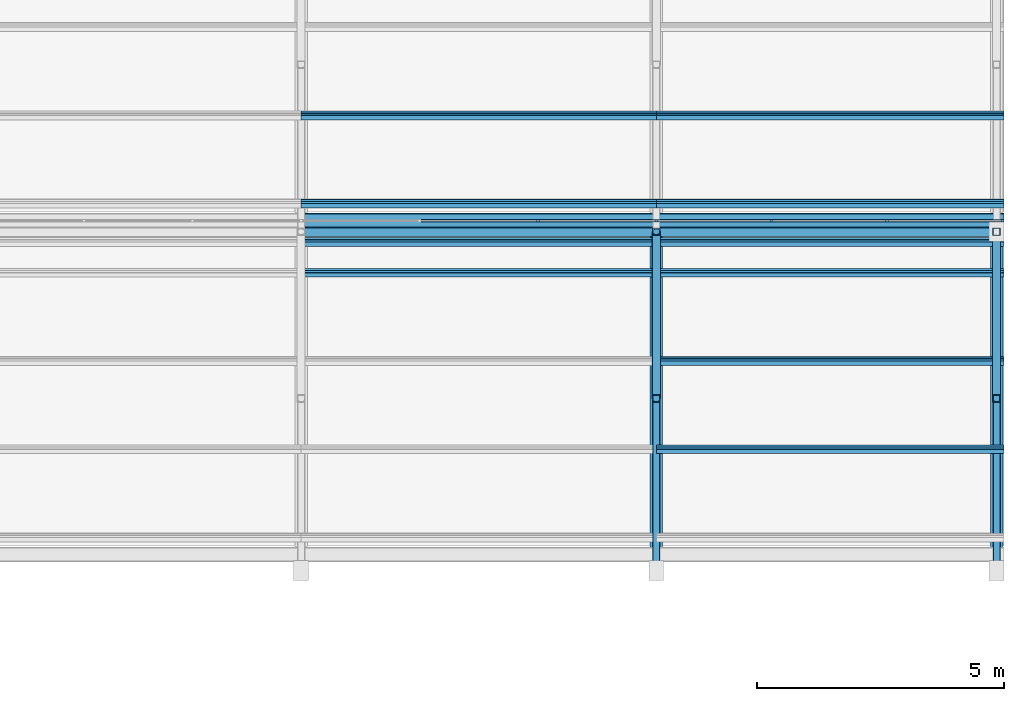
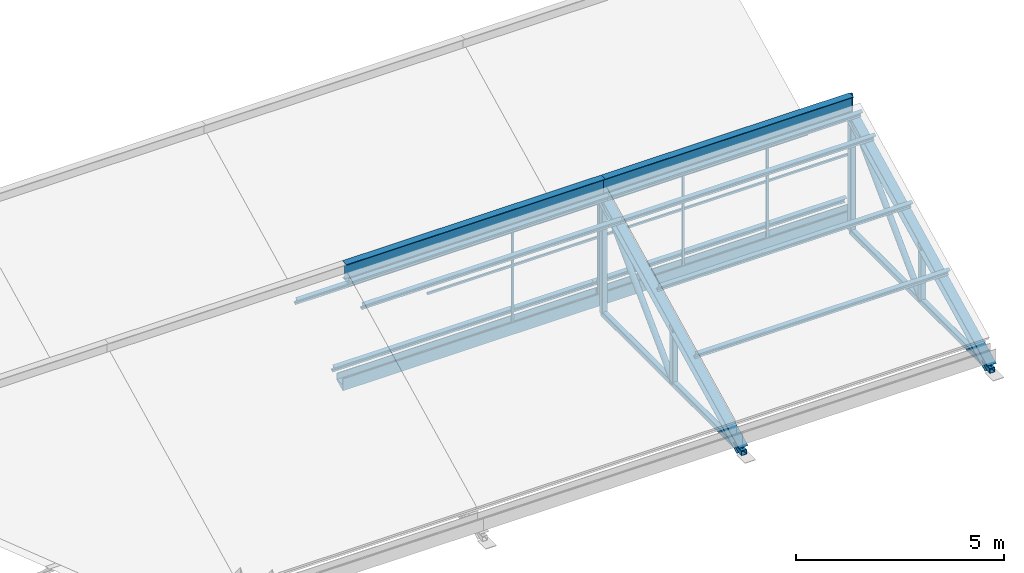
# One storey, part 9 of 29: 34 members, 2 elements without a shape of their own.
"""IFC4 building model written with IfcOpenShell, lengths in metres."""

import ifcopenshell
import ifcopenshell.guid

model = None  # the IFC model being written
_history = None  # IfcOwnerHistory: only IFC2X3 demands one
_inside = {}  # id of a spatial element -> (the spatial element, [elements in it])
_under = {}  # id of a project, library or spatial element -> (it, [spatial elements below it])
_declared = {}  # id of a project -> (the project, [libraries it declares])
_typed = {}  # id of a type object -> (the type object, [elements of that type])
_made_of = {}  # id of a material, layer set ... -> (it, [elements and type objects made of it])


def new_model(schema):
    """Start an empty IFC model of exactly this schema.

    Asked for "IFC4X3", IfcOpenShell would pick the latest addendum, in which some entities
    have other attributes; the version numbers below select the first issue.
    IFC2X3 requires an IfcOwnerHistory on every rooted entity: one is made here for all.
    """
    global model, _history
    if schema == "IFC4X3":
        model = ifcopenshell.file(schema_version=(4, 3, 0, 0))
    else:
        model = ifcopenshell.file(schema=schema)
    _inside.clear()
    _under.clear()
    _declared.clear()
    _typed.clear()
    _made_of.clear()
    _history = None
    if model.schema == "IFC2X3":
        org = make("IfcOrganization", Name="unknown")
        user = make(
            "IfcPersonAndOrganization",
            ThePerson=make("IfcPerson", FamilyName="unknown"),
            TheOrganization=org,
        )
        app = make(
            "IfcApplication",
            ApplicationDeveloper=org,
            Version="unknown",
            ApplicationFullName="unknown",
            ApplicationIdentifier="unknown",
        )
        _history = make(
            "IfcOwnerHistory",
            OwningUser=user,
            OwningApplication=app,
            ChangeAction="ADDED",
            CreationDate=0,
        )
    return model


def make(cls, **values):
    """One entity of the class cls with the attributes given. An attribute that is None is left unset."""
    return model.create_entity(
        cls, **{name: value for name, value in values.items() if value is not None}
    )


def rooted(cls, **values):
    """An entity with a GlobalId (a new one), such as an element, a storey or a relation."""
    return make(cls, GlobalId=ifcopenshell.guid.new(), OwnerHistory=_history, **values)


def si_unit(unit_type, name, prefix=None):
    """IfcSIUnit, for example si_unit("LENGTHUNIT", "METRE", prefix="MILLI")."""
    return make("IfcSIUnit", UnitType=unit_type, Prefix=prefix, Name=name)


def assignment(units):
    """IfcUnitAssignment: the units of a project."""
    return None if units is None else make("IfcUnitAssignment", Units=units)


def point(xyz):
    """IfcCartesianPoint."""
    return None if xyz is None else make("IfcCartesianPoint", Coordinates=xyz)


def direction(xyz):
    """IfcDirection."""
    return None if xyz is None else make("IfcDirection", DirectionRatios=xyz)


def frame(location, z_axis=None, x_axis=None):
    """IfcAxis2Placement3D, a coordinate frame: its origin and axes. An axis left out is left unset."""
    return make(
        "IfcAxis2Placement3D",
        Location=point(location),
        Axis=direction(z_axis),
        RefDirection=direction(x_axis),
    )


def frame_2d(location, x_axis=None):
    """IfcAxis2Placement2D, a coordinate frame in the plane: its origin and x axis."""
    return make(
        "IfcAxis2Placement2D", Location=point(location), RefDirection=direction(x_axis)
    )


def origin():
    """The frame at (0, 0, 0) with its axes left unset."""
    return frame((0.0, 0.0, 0.0))


def origin_2d():
    """The frame at (0, 0) in the plane with its x axis left unset."""
    return frame_2d((0.0, 0.0))


def place(relative_to, where):
    """IfcLocalPlacement: puts the frame where relative to a parent placement (None: the world)."""
    return make(
        "IfcLocalPlacement", PlacementRelTo=relative_to, RelativePlacement=where
    )


def context(
    kind, dimensions, precision=None, world=None, true_north=None, identifier=None
):
    """IfcGeometricRepresentationContext, for example the 3D "Model" context."""
    return make(
        "IfcGeometricRepresentationContext",
        ContextIdentifier=identifier,
        ContextType=kind,
        CoordinateSpaceDimension=dimensions,
        Precision=precision,
        WorldCoordinateSystem=world,
        TrueNorth=true_north,
    )


def subcontext(parent, identifier, kind, view, scale=None):
    """IfcGeometricRepresentationSubContext, for example "Body" below "Model"."""
    return make(
        "IfcGeometricRepresentationSubContext",
        ContextIdentifier=identifier,
        ContextType=kind,
        ParentContext=parent,
        TargetScale=scale,
        TargetView=view,
    )


def project(units=None, contexts=None):
    """IfcProject with its units and contexts."""
    return rooted(
        "IfcProject",
        Name="project",
        RepresentationContexts=contexts,
        UnitsInContext=assignment(units),
    )


def spatial(cls, under=None, at=None, **own):
    """A site, building, storey or space (cls), placed at a placement, below another one or the project."""
    s = rooted(cls, ObjectPlacement=at, **own)
    if under is not None:
        _under.setdefault(under.id(), (under, []))[1].append(s)
    return s


def polyline(points):
    """IfcPolyline through the points."""
    return make("IfcPolyline", Points=[point(p) for p in points])


def profile(cls, at=None, kind="AREA", **sizes):
    """A parametric profile (cls). Its sizes go by their IFC names, for example OverallWidth=200.0."""
    return make(cls, ProfileType=kind, Position=at, **sizes)


def rectangle(**sizes):
    """IfcRectangleProfileDef."""
    return profile("IfcRectangleProfileDef", **sizes)


def hollow_rectangle(**sizes):
    """IfcRectangleHollowProfileDef."""
    return profile("IfcRectangleHollowProfileDef", **sizes)


def hollow_circle(**sizes):
    """IfcCircleHollowProfileDef."""
    return profile("IfcCircleHollowProfileDef", **sizes)


def i_section(**sizes):
    """IfcIShapeProfileDef."""
    return profile("IfcIShapeProfileDef", **sizes)


def outline(outer, holes=None, kind="AREA"):
    """IfcArbitraryClosedProfileDef: a profile drawn as a closed curve; with holes, ...WithVoids."""
    if holes is None:
        return make("IfcArbitraryClosedProfileDef", ProfileType=kind, OuterCurve=outer)
    return make(
        "IfcArbitraryProfileDefWithVoids",
        ProfileType=kind,
        OuterCurve=outer,
        InnerCurves=holes,
    )


def extrude(swept, where, along, depth):
    """IfcExtrudedAreaSolid: the profile swept, set in the frame where, extruded along a direction by depth."""
    return make(
        "IfcExtrudedAreaSolid",
        SweptArea=swept,
        Position=where,
        ExtrudedDirection=direction(along),
        Depth=depth,
    )


def shape(context_of_items, identifier, shape_type, items):
    """IfcShapeRepresentation: the items that make up one representation, for example the "Body"."""
    return make(
        "IfcShapeRepresentation",
        ContextOfItems=context_of_items,
        RepresentationIdentifier=identifier,
        RepresentationType=shape_type,
        Items=items,
    )


def material(Name=None, Category=None):
    """IfcMaterial."""
    return make("IfcMaterial", Name=Name, Category=Category)


def material_profile(
    of_material, cross_section, Name=None, Category=None, Priority=None
):
    """IfcMaterialProfile: a cross section and its material."""
    return make(
        "IfcMaterialProfile",
        Name=Name,
        Material=of_material,
        Profile=cross_section,
        Priority=Priority,
        Category=Category,
    )


def profile_set(profiles, Name=None, composite=None):
    """IfcMaterialProfileSet."""
    return make(
        "IfcMaterialProfileSet",
        Name=Name,
        MaterialProfiles=profiles,
        CompositeProfile=composite,
    )


def made_of(thing, what):
    """Note that an element or type object is made of a material, layer set ...; save() writes the relation."""
    if what is not None:
        _made_of.setdefault(what.id(), (what, []))[1].append(thing)
    return thing


def type_object(cls, material=None, **own):
    """A type object (cls), such as IfcWallType, which elements share."""
    return made_of(rooted(cls, **own), material)


def element(
    cls,
    number,
    at=None,
    inside=None,
    cuts=None,
    type_object=None,
    material=None,
    context=None,
    identifier="Body",
    shape_type=None,
    held_by="IfcProductDefinitionShape",
    body=None,
    shapes=None,
    **own,
):
    """One element of the class cls, such as IfcWall. Its Tag is "e" and its number.

    at: its placement. inside: the storey or other place that contains it. cuts: it is an
    opening in that element (IfcRelVoidsElement). A single representation is given by context,
    identifier, shape_type and body (its items); several are given by shapes. held_by: the class
    of the entity that holds the representations. save() writes the other relations.
    """
    e = rooted(cls, Tag="e%d" % number, ObjectPlacement=at, **own)
    if body is not None:
        shapes = [shape(context, identifier, shape_type, body)]
    if shapes is not None:
        e.Representation = make(held_by, Representations=shapes)
    if inside is not None:
        _inside.setdefault(inside.id(), (inside, []))[1].append(e)
    if cuts is not None:
        rooted(
            "IfcRelVoidsElement", RelatingBuildingElement=cuts, RelatedOpeningElement=e
        )
    if type_object is not None:
        _typed.setdefault(type_object.id(), (type_object, []))[1].append(e)
    return made_of(e, material)


def aggregate(whole, parts):
    """IfcRelAggregates: a whole, such as a stair, and the parts it consists of."""
    return rooted("IfcRelAggregates", RelatingObject=whole, RelatedObjects=parts)


def save(model, path):
    """Write the relations noted so far, then the file.

    IfcRelAggregates (storeys below a building ...), IfcRelContainedInSpatialStructure (elements
    in a storey), IfcRelDefinesByType, IfcRelAssociatesMaterial and IfcRelDeclares: one each for
    every whole, place, type object, material and project.
    """
    for whole, parts in _under.values():
        aggregate(whole, parts)
    for where, things in _inside.values():
        rooted(
            "IfcRelContainedInSpatialStructure",
            RelatedElements=things,
            RelatingStructure=where,
        )
    for kind, things in _typed.values():
        rooted("IfcRelDefinesByType", RelatedObjects=things, RelatingType=kind)
    for what, things in _made_of.values():
        rooted("IfcRelAssociatesMaterial", RelatedObjects=things, RelatingMaterial=what)
    for by, libraries in _declared.values():
        rooted("IfcRelDeclares", RelatingContext=by, RelatedDefinitions=libraries)
    model.write(path)


model = new_model("IFC4")

# Units and contexts
model_context = context("Model", 3, precision=1e-05, world=origin(), true_north=direction((0.0, 1.0)))
body_context = subcontext(model_context, "Body", "Model", "MODEL_VIEW")
ifc_project = project(units=[si_unit("LENGTHUNIT", "METRE"), si_unit("AREAUNIT", "SQUARE_METRE"), si_unit("VOLUMEUNIT", "CUBIC_METRE"), si_unit("PLANEANGLEUNIT", "RADIAN"), si_unit("MASSUNIT", "GRAM", prefix="KILO")], contexts=[model_context])

# Site, building, storey
site_placement = place(None, origin())
site = spatial("IfcSite", under=ifc_project, at=site_placement, CompositionType="ELEMENT")
building_placement = place(site_placement, origin())
building = spatial("IfcBuilding", under=site, at=building_placement, Name="Silangan Lancet Faculty of Sciences", CompositionType="ELEMENT")
storey_placement = place(building_placement, frame((0.0, 0.0, 40.800048828125)))
storey = spatial("IfcBuildingStorey", under=building, at=storey_placement, Name="L08", CompositionType="ELEMENT", Elevation=40.800048828125)

# Members
ifc_material_1 = material(Name="Steel SS400", Category="steel")
ifc_material_profile_1 = material_profile(ifc_material_1, i_section(OverallWidth=0.199951171875, OverallDepth=0.5, WebThickness=0.010009765625, FlangeThickness=0.01611328125, FilletRadius=0.02001953125, at=origin_2d()), Name="H 500x200x10x16")
ifc_profile_set_1 = profile_set([ifc_material_profile_1], Name="Steel SS400")
member_type_1 = type_object("IfcMemberType", Name="Exposed ridge beam H 500x200x10x16", PredefinedType="MEMBER", material=ifc_profile_set_1)
member_1_placement = place(storey_placement, frame((36.0, 28.77001953125, 3.836669921875), z_axis=(1.0, 0.0, 0.0), x_axis=(0.0, 1.0, 0.0)))
element("IfcMember", 1, at=member_1_placement, inside=storey, type_object=member_type_1, Name="Exposed ridge beam ATRIUM-1-6", PredefinedType="MEMBER", context=body_context, shape_type="SweptSolid", body=[
    extrude(i_section(OverallWidth=0.199951171875, OverallDepth=0.5, WebThickness=0.010009765625, FlangeThickness=0.01611328125, FilletRadius=0.02001953125, at=origin_2d()), origin(), (0.0, 0.0, 1.0), 7.199951171875),
])
member_2_placement = place(storey_placement, frame((43.199951171875, 28.77001953125, 3.836669921875), z_axis=(1.0, 0.0, 0.0), x_axis=(0.0, 1.0, 0.0)))
element("IfcMember", 2, at=member_2_placement, inside=storey, type_object=member_type_1, Name="Exposed ridge beam ATRIUM-1-7", PredefinedType="MEMBER", context=body_context, shape_type="SweptSolid", body=[
    extrude(i_section(OverallWidth=0.199951171875, OverallDepth=0.5, WebThickness=0.010009765625, FlangeThickness=0.01611328125, FilletRadius=0.02001953125, at=origin_2d()), origin(), (0.0, 0.0, 1.0), 6.900146484375),
])

# Curtain wall, member
ifc_material_2 = material(Name="Aluminium and laminated glass", Category="aluminium")
curtain_wall_type = type_object("IfcCurtainWallType", Name="North light glazing system", PredefinedType="NOTDEFINED", material=ifc_material_2)
curtain_wall_1_placement = place(storey_placement, origin())
curtain_wall_1 = element("IfcCurtainWall", 3, at=curtain_wall_1_placement, inside=storey, type_object=curtain_wall_type, Name="North light glazing ATRIUM-1-6", PredefinedType="NOTDEFINED")
ifc_material_3 = material(Name="Aluminium 6063-T6", Category="aluminium")
ifc_material_profile_2 = material_profile(ifc_material_3, rectangle(XDim=0.06005859375, YDim=0.050048828125, at=origin_2d()), Name="AL 60x50")
ifc_profile_set_2 = profile_set([ifc_material_profile_2], Name="Aluminium 6063-T6")
member_type_2 = type_object("IfcMemberType", Name="North light mullion 60x50", PredefinedType="MULLION", material=ifc_profile_set_2)
member_3_placement = place(storey_placement, frame((40.800048828125, 28.9951171875, 0.442138671875), z_axis=(0.0, 0.0, 1.0), x_axis=(1.0, 0.0, 0.0)))
member_3 = element("IfcMember", 4, at=member_3_placement, type_object=member_type_2, Name="North light mullion ATRIUM-1-6 3", PredefinedType="MULLION", context=body_context, shape_type="SweptSolid", body=[
    extrude(rectangle(XDim=0.06005859375, YDim=0.050048828125, at=origin_2d()), origin(), (0.0, 0.0, 1.0), 3.502197265625),
])

# Curtain wall, members
curtain_wall_2_placement = place(storey_placement, origin())
curtain_wall_2 = element("IfcCurtainWall", 5, at=curtain_wall_2_placement, inside=storey, type_object=curtain_wall_type, Name="North light glazing ATRIUM-1-7", PredefinedType="NOTDEFINED")
member_4_placement = place(storey_placement, frame((43.199951171875, 28.9951171875, 0.442138671875), z_axis=(0.0, 0.0, 1.0), x_axis=(1.0, 0.0, 0.0)))
member_4 = element("IfcMember", 6, at=member_4_placement, type_object=member_type_2, Name="North light mullion ATRIUM-1-7 1", PredefinedType="MULLION", context=body_context, shape_type="SweptSolid", body=[
    extrude(rectangle(XDim=0.06005859375, YDim=0.050048828125, at=origin_2d()), origin(), (0.0, 0.0, 1.0), 3.502197265625),
])
member_5_placement = place(storey_placement, frame((45.5400390625, 28.9951171875, 0.442138671875), z_axis=(0.0, 0.0, 1.0), x_axis=(1.0, 0.0, 0.0)))
member_5 = element("IfcMember", 7, at=member_5_placement, type_object=member_type_2, Name="North light mullion ATRIUM-1-7 2", PredefinedType="MULLION", context=body_context, shape_type="SweptSolid", body=[
    extrude(rectangle(XDim=0.06005859375, YDim=0.050048828125, at=origin_2d()), origin(), (0.0, 0.0, 1.0), 3.502197265625),
])
member_6_placement = place(storey_placement, frame((47.8798828125, 28.9951171875, 0.442138671875), z_axis=(0.0, 0.0, 1.0), x_axis=(1.0, 0.0, 0.0)))
member_6 = element("IfcMember", 8, at=member_6_placement, type_object=member_type_2, Name="North light mullion ATRIUM-1-7 3", PredefinedType="MULLION", context=body_context, shape_type="SweptSolid", body=[
    extrude(rectangle(XDim=0.06005859375, YDim=0.050048828125, at=origin_2d()), origin(), (0.0, 0.0, 1.0), 3.502197265625),
])
member_7_placement = place(storey_placement, frame((50.219970703125, 28.9951171875, 0.442138671875), z_axis=(0.0, 0.0, 1.0), x_axis=(1.0, 0.0, 0.0)))
member_7 = element("IfcMember", 9, at=member_7_placement, type_object=member_type_2, Name="North light mullion ATRIUM-1-7 4", PredefinedType="MULLION", context=body_context, shape_type="SweptSolid", body=[
    extrude(rectangle(XDim=0.06005859375, YDim=0.050048828125, at=origin_2d()), origin(), (0.0, 0.0, 1.0), 3.502197265625),
])

# Member
ifc_material_4 = material(Name="Aluminium 6063-T6", Category="aluminium")
ifc_material_profile_3 = material_profile(ifc_material_4, rectangle(XDim=0.050048828125, YDim=0.06005859375, at=origin_2d()), Name="AL 50x60")
ifc_profile_set_3 = profile_set([ifc_material_profile_3], Name="Aluminium 6063-T6")
member_type_3 = type_object("IfcMemberType", Name="North light transom 50x60", PredefinedType="USERDEFINED", material=ifc_profile_set_3)
member_8_placement = place(storey_placement, frame((38.429931640625, 28.9951171875, 2.193359375), z_axis=(1.0, 0.0, 0.0), x_axis=(0.0, 1.0, 0.0)))
member_8 = element("IfcMember", 10, at=member_8_placement, type_object=member_type_3, Name="North light transom ATRIUM-1-6 2", ObjectType="TRANSOM", PredefinedType="USERDEFINED", context=body_context, shape_type="SweptSolid", body=[
    extrude(rectangle(XDim=0.050048828125, YDim=0.06005859375, at=origin_2d()), origin(), (0.0, 0.0, 1.0), 2.340087890625),
])

member_9_placement = place(storey_placement, frame((40.830078125, 28.9951171875, 2.193359375), z_axis=(1.0, 0.0, 0.0), x_axis=(0.0, 1.0, 0.0)))
member_9 = element("IfcMember", 11, at=member_9_placement, type_object=member_type_3, Name="North light transom ATRIUM-1-6 3", ObjectType="TRANSOM", PredefinedType="USERDEFINED", context=body_context, shape_type="SweptSolid", body=[
    extrude(rectangle(XDim=0.050048828125, YDim=0.06005859375, at=origin_2d()), origin(), (0.0, 0.0, 1.0), 2.33984375),
])

aggregate(curtain_wall_1, [member_3, member_8, member_9])

member_10_placement = place(storey_placement, frame((43.22998046875, 28.9951171875, 2.193359375), z_axis=(1.0, 0.0, 0.0), x_axis=(0.0, 1.0, 0.0)))
member_10 = element("IfcMember", 12, at=member_10_placement, type_object=member_type_3, Name="North light transom ATRIUM-1-7 1", ObjectType="TRANSOM", PredefinedType="USERDEFINED", context=body_context, shape_type="SweptSolid", body=[
    extrude(rectangle(XDim=0.050048828125, YDim=0.06005859375, at=origin_2d()), origin(), (0.0, 0.0, 1.0), 2.280029296875),
])

member_11_placement = place(storey_placement, frame((45.570068359375, 28.9951171875, 2.193359375), z_axis=(1.0, 0.0, 0.0), x_axis=(0.0, 1.0, 0.0)))
member_11 = element("IfcMember", 13, at=member_11_placement, type_object=member_type_3, Name="North light transom ATRIUM-1-7 2", ObjectType="TRANSOM", PredefinedType="USERDEFINED", context=body_context, shape_type="SweptSolid", body=[
    extrude(rectangle(XDim=0.050048828125, YDim=0.06005859375, at=origin_2d()), origin(), (0.0, 0.0, 1.0), 2.280029296875),
])

member_12_placement = place(storey_placement, frame((47.909912109375, 28.9951171875, 2.193359375), z_axis=(1.0, 0.0, 0.0), x_axis=(0.0, 1.0, 0.0)))
member_12 = element("IfcMember", 14, at=member_12_placement, type_object=member_type_3, Name="North light transom ATRIUM-1-7 3", ObjectType="TRANSOM", PredefinedType="USERDEFINED", context=body_context, shape_type="SweptSolid", body=[
    extrude(rectangle(XDim=0.050048828125, YDim=0.06005859375, at=origin_2d()), origin(), (0.0, 0.0, 1.0), 2.340087890625),
])

aggregate(curtain_wall_2, [member_4, member_5, member_6, member_7, member_10, member_11, member_12])

# Members
ifc_material_5 = material(Name="Steel SS400", Category="steel")
ifc_material_profile_4 = material_profile(ifc_material_5, i_section(OverallWidth=0.10009765625, OverallDepth=0.199951171875, WebThickness=0.005615234375, FlangeThickness=0.008056640625, FilletRadius=0.008056640625, at=origin_2d()), Name="H 200x100x5.5x8")
ifc_profile_set_4 = profile_set([ifc_material_profile_4], Name="Steel SS400")
member_type_4 = type_object("IfcMemberType", Name="Sheeting purlin H 200x100x5.5x8", PredefinedType="PURLIN", material=ifc_profile_set_4)
for number, where, z_axis, x_axis, name in (
    (15, (36.0, 27.936767578125, 3.31494140625), (1.0, 0.0, 0.0), (0.0, 0.894427192382, 0.447213592736), "Sheeting purlin ATRIUM-1-6 4"),
    (16, (36.0, 28.56201171875, 3.62744140625), (1.0, 0.0, 0.0), (0.0, 0.894427192382, 0.447213592736), "Sheeting purlin ATRIUM-1-6 5"),
    (17, (36.0, 29.340087890625, 0.631591796875), (1.0, 0.0, 0.0), (0.0, 0.894427192382, 0.447213592736), "Sheeting purlin ATRIUM-2-6 1"),
    (18, (36.0, 31.129150390625, 1.526123046875), (1.0, 0.0, 0.0), (0.0, 0.894427192382, 0.447213592736), "Sheeting purlin ATRIUM-2-6 2"),
):
    element("IfcMember", number, at=place(storey_placement, frame(where, z_axis=z_axis, x_axis=x_axis)), inside=storey, type_object=member_type_4, Name=name, PredefinedType="PURLIN", context=body_context, shape_type="SweptSolid", body=[
        extrude(i_section(OverallWidth=0.10009765625, OverallDepth=0.199951171875, WebThickness=0.005615234375, FlangeThickness=0.008056640625, FilletRadius=0.008056640625, at=origin_2d()), origin(), (0.0, 0.0, 1.0), 7.199951171875),
    ])
for number, where, z_axis, x_axis, name in (
    (19, (43.199951171875, 24.359130859375, 1.526123046875), (1.0, 0.0, 0.0), (0.0, 0.894427192382, 0.447213592736), "Sheeting purlin ATRIUM-1-7 2"),
    (20, (43.199951171875, 26.14794921875, 2.42041015625), (1.0, 0.0, 0.0), (0.0, 0.894427192382, 0.447213592736), "Sheeting purlin ATRIUM-1-7 3"),
    (21, (43.199951171875, 27.936767578125, 3.31494140625), (1.0, 0.0, 0.0), (0.0, 0.894427192382, 0.447213592736), "Sheeting purlin ATRIUM-1-7 4"),
    (22, (43.199951171875, 28.56201171875, 3.62744140625), (1.0, 0.0, 0.0), (0.0, 0.894427192382, 0.447213592736), "Sheeting purlin ATRIUM-1-7 5"),
    (23, (43.199951171875, 29.340087890625, 0.631591796875), (1.0, 0.0, 0.0), (0.0, 0.894427192382, 0.447213592736), "Sheeting purlin ATRIUM-2-7 1"),
    (24, (43.199951171875, 31.129150390625, 1.526123046875), (1.0, 0.0, 0.0), (0.0, 0.894427192382, 0.447213592736), "Sheeting purlin ATRIUM-2-7 2"),
):
    element("IfcMember", number, at=place(storey_placement, frame(where, z_axis=z_axis, x_axis=x_axis)), inside=storey, type_object=member_type_4, Name=name, PredefinedType="PURLIN", context=body_context, shape_type="SweptSolid", body=[
        extrude(i_section(OverallWidth=0.10009765625, OverallDepth=0.199951171875, WebThickness=0.005615234375, FlangeThickness=0.008056640625, FilletRadius=0.008056640625, at=origin_2d()), origin(), (0.0, 0.0, 1.0), 7.050048828125),
    ])
ifc_material_6 = material(Name="Steel STKR400", Category="steel")
ifc_material_profile_5 = material_profile(ifc_material_6, hollow_rectangle(XDim=0.14990234375, YDim=0.14990234375, WallThickness=0.009033203125, InnerFilletRadius=0.009033203125, OuterFilletRadius=0.01806640625, at=origin_2d()), Name="SHS 150x150x9.0")
ifc_profile_set_5 = profile_set([ifc_material_profile_5], Name="Steel STKR400")
member_type_5 = type_object("IfcMemberType", Name="Truss bottom chord SHS 150x150x9.0", PredefinedType="CHORD", material=ifc_profile_set_5)
for number, where, z_axis, x_axis, name in (
    (25, (43.199951171875, 22.0, 0.094970703125), (0.0, 1.0, 0.0), (-1.0, 0.0, 0.0), "Truss 7 bottom chord 1"),
    (26, (50.10009765625, 22.0, 0.094970703125), (0.0, 1.0, 0.0), (-1.0, 0.0, 0.0), "Truss 8 bottom chord 1"),
):
    element("IfcMember", number, at=place(storey_placement, frame(where, z_axis=z_axis, x_axis=x_axis)), inside=storey, type_object=member_type_5, Name=name, PredefinedType="CHORD", context=body_context, shape_type="SweptSolid", body=[
        extrude(hollow_rectangle(XDim=0.14990234375, YDim=0.14990234375, WallThickness=0.009033203125, InnerFilletRadius=0.009033203125, OuterFilletRadius=0.01806640625, at=origin_2d()), origin(), (0.0, 0.0, 1.0), 6.77001953125),
    ])
ifc_material_7 = material(Name="Steel STK400", Category="steel")
ifc_material_profile_6 = material_profile(ifc_material_7, hollow_circle(Radius=0.08251953125, WallThickness=0.0048828125, at=origin_2d()), Name="CHS 165.2x5.0")
ifc_profile_set_6 = profile_set([ifc_material_profile_6], Name="Steel STK400")
member_type_6 = type_object("IfcMemberType", Name="Truss diagonal CHS 165.2x5.0", PredefinedType="BRACE", material=ifc_profile_set_6)
for number, where, z_axis, x_axis, name in (
    (27, (43.199951171875, 25.385009765625, 0.094970703125), (0.0, 0.707106781187, 0.707106781187), (-1.0, 0.0, 0.0), "Truss 7 diagonal 1"),
    (28, (50.10009765625, 25.385009765625, 0.094970703125), (0.0, 0.707106781187, 0.707106781187), (-1.0, 0.0, 0.0), "Truss 8 diagonal 1"),
):
    element("IfcMember", number, at=place(storey_placement, frame(where, z_axis=z_axis, x_axis=x_axis)), inside=storey, type_object=member_type_6, Name=name, PredefinedType="BRACE", context=body_context, shape_type="SweptSolid", body=[
        extrude(hollow_circle(Radius=0.08251953125, WallThickness=0.0048828125, at=origin_2d()), origin(), (0.0, 0.0, 1.0), 4.787109375),
    ])
ifc_material_8 = material(Name="Steel STKR400", Category="steel")
ifc_material_profile_7 = material_profile(ifc_material_8, hollow_rectangle(XDim=0.14990234375, YDim=0.14990234375, WallThickness=0.006103515625, InnerFilletRadius=0.006103515625, OuterFilletRadius=0.011962890625, at=origin_2d()), Name="SHS 150x150x6.0")
ifc_profile_set_7 = profile_set([ifc_material_profile_7], Name="Steel STKR400")
member_type_7 = type_object("IfcMemberType", Name="Truss post SHS 150x150x6.0", PredefinedType="POST", material=ifc_profile_set_7)
member_13_placement = place(storey_placement, frame((43.199951171875, 28.77001953125, 0.094970703125), z_axis=(0.0, 0.0, 1.0), x_axis=(1.0, 0.0, 0.0)))
element("IfcMember", 29, at=member_13_placement, inside=storey, type_object=member_type_7, Name="Truss 7 riser post 1", PredefinedType="POST", context=body_context, shape_type="SweptSolid", body=[
    extrude(hollow_rectangle(XDim=0.14990234375, YDim=0.14990234375, WallThickness=0.006103515625, InnerFilletRadius=0.006103515625, OuterFilletRadius=0.011962890625, at=origin_2d()), origin(), (0.0, 0.0, 1.0), 3.385009765625),
])
member_14_placement = place(storey_placement, frame((43.199951171875, 25.385009765625, 0.094970703125), z_axis=(0.0, 0.0, 1.0), x_axis=(1.0, 0.0, 0.0)))
element("IfcMember", 30, at=member_14_placement, inside=storey, type_object=member_type_7, Name="Truss 7 mid post 1", PredefinedType="POST", context=body_context, shape_type="SweptSolid", body=[
    extrude(hollow_rectangle(XDim=0.14990234375, YDim=0.14990234375, WallThickness=0.006103515625, InnerFilletRadius=0.006103515625, OuterFilletRadius=0.011962890625, at=origin_2d()), origin(), (0.0, 0.0, 1.0), 1.6923828125),
])
member_15_placement = place(storey_placement, frame((50.10009765625, 28.77001953125, 0.094970703125), z_axis=(0.0, 0.0, 1.0), x_axis=(1.0, 0.0, 0.0)))
element("IfcMember", 31, at=member_15_placement, inside=storey, type_object=member_type_7, Name="Truss 8 riser post 1", PredefinedType="POST", context=body_context, shape_type="SweptSolid", body=[
    extrude(hollow_rectangle(XDim=0.14990234375, YDim=0.14990234375, WallThickness=0.006103515625, InnerFilletRadius=0.006103515625, OuterFilletRadius=0.011962890625, at=origin_2d()), origin(), (0.0, 0.0, 1.0), 3.385009765625),
])
member_16_placement = place(storey_placement, frame((50.10009765625, 25.385009765625, 0.094970703125), z_axis=(0.0, 0.0, 1.0), x_axis=(1.0, 0.0, 0.0)))
element("IfcMember", 32, at=member_16_placement, inside=storey, type_object=member_type_7, Name="Truss 8 mid post 1", PredefinedType="POST", context=body_context, shape_type="SweptSolid", body=[
    extrude(hollow_rectangle(XDim=0.14990234375, YDim=0.14990234375, WallThickness=0.006103515625, InnerFilletRadius=0.006103515625, OuterFilletRadius=0.011962890625, at=origin_2d()), origin(), (0.0, 0.0, 1.0), 1.6923828125),
])
ifc_material_9 = material(Name="Steel SS400", Category="steel")
ifc_material_profile_8 = material_profile(ifc_material_9, i_section(OverallWidth=0.25, OverallDepth=0.25, WebThickness=0.009033203125, FlangeThickness=0.013916015625, FilletRadius=0.01611328125, at=origin_2d()), Name="H 250x250x9x14")
ifc_profile_set_8 = profile_set([ifc_material_profile_8], Name="Steel SS400")
member_type_8 = type_object("IfcMemberType", Name="Truss top chord H 250x250x9x14", PredefinedType="CHORD", material=ifc_profile_set_8)
for number, where, z_axis, x_axis, name in (
    (33, (43.199951171875, 22.08056640625, 0.13525390625), (0.0, 0.894427191, 0.4472135955), (-1.0, 0.0, 0.0), "Truss 7 top chord 1"),
    (34, (50.10009765625, 22.08056640625, 0.13525390625), (0.0, 0.894427191, 0.4472135955), (-1.0, 0.0, 0.0), "Truss 8 top chord 1"),
):
    element("IfcMember", number, at=place(storey_placement, frame(where, z_axis=z_axis, x_axis=x_axis)), inside=storey, type_object=member_type_8, Name=name, PredefinedType="CHORD", context=body_context, shape_type="SweptSolid", body=[
        extrude(i_section(OverallWidth=0.25, OverallDepth=0.25, WebThickness=0.009033203125, FlangeThickness=0.013916015625, FilletRadius=0.01611328125, at=origin_2d()), origin(), (0.0, 0.0, 1.0), 7.47900390625),
    ])
ifc_material_10 = material(Name="Stainless steel", Category="steel")
ifc_material_profile_9 = material_profile(ifc_material_10, outline(polyline([(-0.14990234375, 0.0), (0.14990234375, 0.14990234375), (0.14990234375, 0.35009765625), (0.1298828125, 0.35009765625), (0.1298828125, 0.169921875), (-0.1298828125, 0.169921875), (-0.1298828125, 0.35009765625), (-0.14990234375, 0.35009765625), (-0.14990234375, 0.0)])), Name="valley gutter")
ifc_profile_set_9 = profile_set([ifc_material_profile_9], Name="Stainless steel")
member_type_9 = type_object("IfcMemberType", Name="Valley gutter 300 wide", PredefinedType="USERDEFINED", material=ifc_profile_set_9)
member_17_placement = place(storey_placement, frame((36.0, 28.9951171875, 0.272216796875), z_axis=(1.0, 0.0, 0.0), x_axis=(0.0, 1.0, 0.0)))
element("IfcMember", 35, at=member_17_placement, inside=storey, type_object=member_type_9, Name="Valley gutter ATRIUM-2-6", ObjectType="GUTTER", PredefinedType="USERDEFINED", context=body_context, shape_type="SweptSolid", body=[
    extrude(outline(polyline([(-0.14990234375, 0.0), (0.14990234375, 0.14990234375), (0.14990234375, 0.35009765625), (0.1298828125, 0.35009765625), (0.1298828125, 0.169921875), (-0.1298828125, 0.169921875), (-0.1298828125, 0.35009765625), (-0.14990234375, 0.35009765625), (-0.14990234375, 0.0)])), origin(), (0.0, 0.0, 1.0), 7.199951171875),
])
member_18_placement = place(storey_placement, frame((43.199951171875, 28.9951171875, 0.272216796875), z_axis=(1.0, 0.0, 0.0), x_axis=(0.0, 1.0, 0.0)))
element("IfcMember", 36, at=member_18_placement, inside=storey, type_object=member_type_9, Name="Valley gutter ATRIUM-2-7", ObjectType="GUTTER", PredefinedType="USERDEFINED", context=body_context, shape_type="SweptSolid", body=[
    extrude(outline(polyline([(-0.14990234375, 0.0), (0.14990234375, 0.14990234375), (0.14990234375, 0.35009765625), (0.1298828125, 0.35009765625), (0.1298828125, 0.169921875), (-0.1298828125, 0.169921875), (-0.1298828125, 0.35009765625), (-0.14990234375, 0.35009765625), (-0.14990234375, 0.0)])), origin(), (0.0, 0.0, 1.0), 7.050048828125),
])

save(model, "model.ifc")
